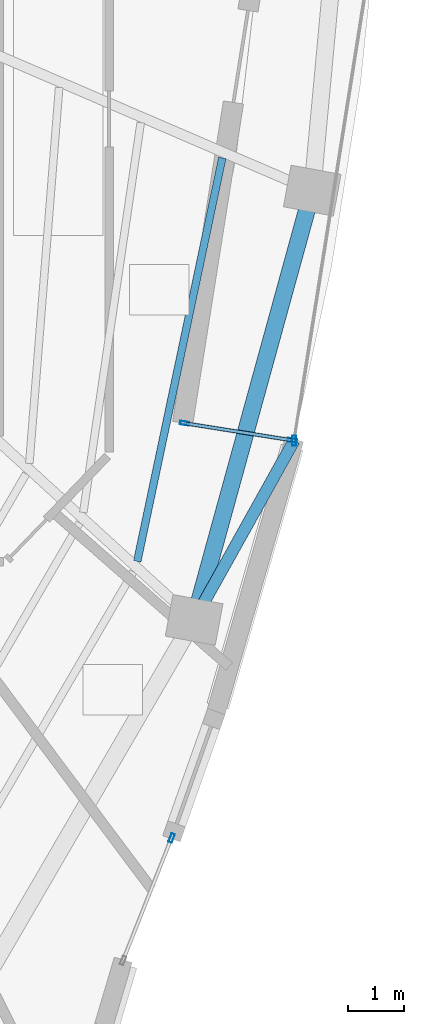
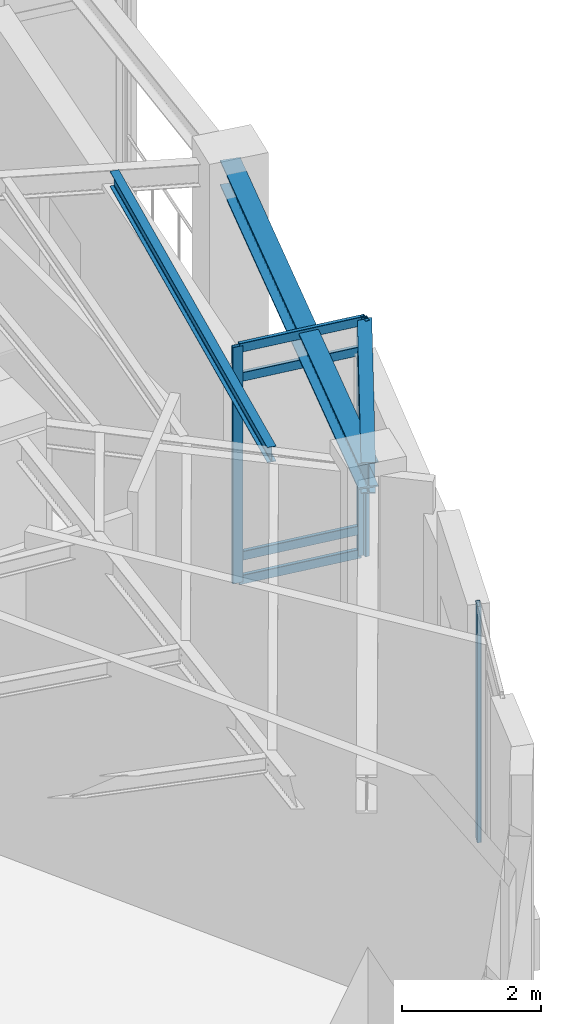
# One storey, part 6 of 14: 8 members, 3 beams, 2 elements without a shape of their own.
"""IFC4 building model written with IfcOpenShell, lengths in metres."""

from ifc_helpers import new_model, si_unit, direction, frame, origin, origin_2d, place, context, subcontext, project, spatial, hollow_rectangle, i_section, extrude, material, layer, layer_set, material_profile, profile_set, type_object, element, aggregate, save


model = new_model("IFC4")

# Units and contexts
model_context = context("Model", 3, precision=1e-05, world=origin(), true_north=direction((0.0, 1.0)))
body_context = subcontext(model_context, "Body", "Model", "MODEL_VIEW")
ifc_project = project(units=[si_unit("LENGTHUNIT", "METRE"), si_unit("AREAUNIT", "SQUARE_METRE"), si_unit("VOLUMEUNIT", "CUBIC_METRE"), si_unit("PLANEANGLEUNIT", "RADIAN"), si_unit("MASSUNIT", "GRAM", prefix="KILO")], contexts=[model_context])

# Site, building, storey
site_placement = place(None, origin())
site = spatial("IfcSite", under=ifc_project, at=site_placement, CompositionType="ELEMENT")
building_placement = place(site_placement, origin())
building = spatial("IfcBuilding", under=site, at=building_placement, Name="Ndelora Gate Hotel", CompositionType="ELEMENT")
storey_placement = place(building_placement, frame((0.0, 0.0, 277.199951171875)))
storey = spatial("IfcBuildingStorey", under=building, at=storey_placement, Name="L69", CompositionType="ELEMENT", Elevation=277.199951171875)

# Beams
ifc_material_1 = material(Name="Steel S355", Category="steel")
ifc_material_profile_1 = material_profile(ifc_material_1, i_section(OverallWidth=0.135009765625, OverallDepth=0.27001953125, WebThickness=0.006591796875, FlangeThickness=0.01025390625, FilletRadius=0.014892578125, at=origin_2d()), Name="IPE 270")
ifc_profile_set_1 = profile_set([ifc_material_profile_1], Name="Steel S355")
beam_type_1 = type_object("IfcBeamType", Name="BM-JST-270", PredefinedType="JOIST", material=ifc_profile_set_1)
beam_1_placement = place(storey_placement, frame((10.94873046875, -9.17529296875, 4.01513671875), z_axis=(0.206301761085, 0.978488417598, 0.0), x_axis=(-0.978488417598, 0.206301761085, 0.0)))
element("IfcBeam", 1, at=beam_1_placement, inside=storey, type_object=beam_type_1, Name="L69 Secondary Composite Floor Joist OUT-6", PredefinedType="JOIST", context=body_context, shape_type="SweptSolid", body=[
    extrude(i_section(OverallWidth=0.135009765625, OverallDepth=0.27001953125, WebThickness=0.006591796875, FlangeThickness=0.01025390625, FilletRadius=0.014892578125, at=origin_2d()), origin(), (0.0, 0.0, 1.0), 7.3076171875),
])
ifc_material_profile_2 = material_profile(ifc_material_1, i_section(OverallWidth=0.2099609375, OverallDepth=0.550048828125, WebThickness=0.010986328125, FlangeThickness=0.01708984375, FilletRadius=0.02392578125, at=origin_2d()), Name="IPE 550")
ifc_profile_set_2 = profile_set([ifc_material_profile_2], Name="Steel S355")
beam_type_2 = type_object("IfcBeamType", Name="BM-RAD-550", PredefinedType="BEAM", material=ifc_profile_set_2)
beam_2_placement = place(storey_placement, frame((11.956787109375, -10.212158203125, 3.875), z_axis=(0.487174602551, 0.873304589836, 0.0), x_axis=(-0.873304589836, 0.487174602551, 0.0)))
element("IfcBeam", 2, at=beam_2_placement, inside=storey, type_object=beam_type_2, Name="L69 Sky-Garden Loggia Column Bracket 1", PredefinedType="BEAM", context=body_context, shape_type="SweptSolid", body=[
    extrude(i_section(OverallWidth=0.2099609375, OverallDepth=0.550048828125, WebThickness=0.010986328125, FlangeThickness=0.01708984375, FilletRadius=0.02392578125, at=origin_2d()), origin(), (0.0, 0.0, 1.0), 3.638671875),
])
ifc_material_profile_3 = material_profile(ifc_material_1, i_section(OverallWidth=0.300048828125, OverallDepth=0.449951171875, WebThickness=0.013916015625, FlangeThickness=0.02587890625, FilletRadius=0.027099609375, at=origin_2d()), Name="HEB 450")
ifc_profile_set_3 = profile_set([ifc_material_profile_3], Name="Steel S355")
beam_type_3 = type_object("IfcBeamType", Name="BM-RING-450", PredefinedType="SPANDREL", material=ifc_profile_set_3)
beam_3_placement = place(storey_placement, frame((11.956787109375, -10.212158203125, 3.925048828125), z_axis=(0.265247809385, 0.964180273401, 0.0), x_axis=(-0.964180273401, 0.265247809385, 0.0)))
element("IfcBeam", 3, at=beam_3_placement, inside=storey, type_object=beam_type_3, Name="L69 Perimeter Spandrel Girder 6", PredefinedType="SPANDREL", context=body_context, shape_type="SweptSolid", body=[
    extrude(i_section(OverallWidth=0.300048828125, OverallDepth=0.449951171875, WebThickness=0.013916015625, FlangeThickness=0.02587890625, FilletRadius=0.027099609375, at=origin_2d()), origin(), (0.0, 0.0, 1.0), 7.890869140625),
])

# Curtain wall, members
ifc_material_2 = material(Name="Bronze Anodised Unitised Aluminium and Low-E Glass", Category="aluminium")
ifc_layer_1 = layer(ifc_material_2, 0.199951171875)
ifc_layer_set_1 = layer_set([ifc_layer_1], Name="Bronze Anodised Unitised Aluminium and Low-E Glass")
curtain_wall_type_1 = type_object("IfcCurtainWallType", Name="CW-SYS-3", PredefinedType="NOTDEFINED", material=ifc_layer_set_1)
curtain_wall_1_placement = place(storey_placement, origin())
curtain_wall_1 = element("IfcCurtainWall", 4, at=curtain_wall_1_placement, inside=storey, type_object=curtain_wall_type_1, Name="L69 Sky-Garden Loggia Side Curtain Wall CW3-1", PredefinedType="NOTDEFINED")
ifc_material_3 = material(Name="Bronze Anodised Aluminium 6063-T6", Category="aluminium")
ifc_material_profile_4 = material_profile(ifc_material_3, hollow_rectangle(XDim=0.06494140625, YDim=0.159912109375, WallThickness=0.00390625, InnerFilletRadius=0.00390625, OuterFilletRadius=0.008056640625, at=origin_2d()), Name="ALU 160x65x4")
ifc_profile_set_4 = profile_set([ifc_material_profile_4], Name="Bronze Anodised Aluminium 6063-T6")
member_type_1 = type_object("IfcMemberType", Name="MB-CW-MUL150", PredefinedType="MULLION", material=ifc_profile_set_4)
member_1_placement = place(storey_placement, frame((11.786376953125, -6.7265625, -0.00390625), z_axis=(0.0, 0.0, 1.0), x_axis=(0.156455544499, 0.987685001706, 0.0)))
member_1 = element("IfcMember", 5, at=member_1_placement, type_object=member_type_1, Name="CW3 mullion 1", PredefinedType="MULLION", context=body_context, shape_type="SweptSolid", body=[
    extrude(hollow_rectangle(XDim=0.06494140625, YDim=0.159912109375, WallThickness=0.00390625, InnerFilletRadius=0.00390625, OuterFilletRadius=0.008056640625, at=origin_2d()), origin(), (0.0, 0.0, 1.0), 4.157958984375),
])
member_2_placement = place(storey_placement, frame((13.697509765625, -7.029296875, -0.00390625), z_axis=(0.0, 0.0, 1.0), x_axis=(0.156455544499, 0.987685001706, 0.0)))
member_2 = element("IfcMember", 6, at=member_2_placement, type_object=member_type_1, Name="CW3 mullion 2", PredefinedType="MULLION", context=body_context, shape_type="SweptSolid", body=[
    extrude(hollow_rectangle(XDim=0.06494140625, YDim=0.159912109375, WallThickness=0.00390625, InnerFilletRadius=0.00390625, OuterFilletRadius=0.008056640625, at=origin_2d()), origin(), (0.0, 0.0, 1.0), 4.157958984375),
])

# Curtain wall, member
ifc_layer_2 = layer(ifc_material_2, 0.219970703125)
ifc_layer_set_2 = layer_set([ifc_layer_2], Name="Bronze Anodised Unitised Aluminium and Low-E Glass")
curtain_wall_type_2 = type_object("IfcCurtainWallType", Name="CW-SYS-6", PredefinedType="NOTDEFINED", material=ifc_layer_set_2)
curtain_wall_2_placement = place(storey_placement, origin())
curtain_wall_2 = element("IfcCurtainWall", 7, at=curtain_wall_2_placement, inside=storey, type_object=curtain_wall_type_2, Name="L69 Crown Sky-Restaurant & Cocktail Bar Curtain Wall 2", PredefinedType="NOTDEFINED")
member_3_placement = place(storey_placement, frame((11.558349609375, -14.078125, -0.00390625), z_axis=(0.0, 0.0, 1.0), x_axis=(-0.929665067652, 0.3684058387, 0.0)))
member_3 = element("IfcMember", 8, at=member_3_placement, type_object=member_type_1, Name="CW6 mullion 2", PredefinedType="MULLION", context=body_context, shape_type="SweptSolid", body=[
    extrude(hollow_rectangle(XDim=0.06494140625, YDim=0.159912109375, WallThickness=0.00390625, InnerFilletRadius=0.00390625, OuterFilletRadius=0.008056640625, at=origin_2d()), origin(), (0.0, 0.0, 1.0), 4.157958984375),
])
aggregate(curtain_wall_2, [member_3])

# Member
ifc_material_profile_5 = material_profile(ifc_material_3, hollow_rectangle(XDim=0.070068359375, YDim=0.179931640625, WallThickness=0.0048828125, InnerFilletRadius=0.0048828125, OuterFilletRadius=0.010009765625, at=origin_2d()), Name="ALU 180x70x5")
ifc_profile_set_5 = profile_set([ifc_material_profile_5], Name="Bronze Anodised Aluminium 6063-T6")
member_type_2 = type_object("IfcMemberType", Name="MB-CW-MUL180", PredefinedType="MULLION", material=ifc_profile_set_5)
member_4_placement = place(storey_placement, frame((13.7294921875, -7.034423828125, 0.0), z_axis=(0.0, 0.0, 1.0), x_axis=(1.0, 0.0, 0.0)))
member_4 = element("IfcMember", 9, at=member_4_placement, type_object=member_type_2, Name="L69 Sky-Garden Loggia Corner Mullion Post 1", PredefinedType="MULLION", context=body_context, shape_type="SweptSolid", body=[
    extrude(hollow_rectangle(XDim=0.070068359375, YDim=0.179931640625, WallThickness=0.0048828125, InnerFilletRadius=0.0048828125, OuterFilletRadius=0.010009765625, at=origin_2d()), origin(), (0.0, 0.0, 1.0), 4.150146484375),
])

ifc_material_profile_6 = material_profile(ifc_material_3, hollow_rectangle(XDim=0.06494140625, YDim=0.159912109375, WallThickness=0.00390625, InnerFilletRadius=0.00390625, OuterFilletRadius=0.008056640625, at=origin_2d()), Name="ALU 160x65x4")
ifc_profile_set_6 = profile_set([ifc_material_profile_6], Name="Bronze Anodised Aluminium 6063-T6")
member_type_3 = type_object("IfcMemberType", Name="MB-CW-TRN150", PredefinedType="USERDEFINED", material=ifc_profile_set_6)
member_5_placement = place(storey_placement, frame((11.8125, -6.730712890625, 0.032470703125), z_axis=(0.987687120531, -0.156442168027, 0.0), x_axis=(0.156442168027, 0.987687120531, 0.0)))
member_5 = element("IfcMember", 10, at=member_5_placement, type_object=member_type_3, Name="CW3 transom 1.1", ObjectType="TRANSOM", PredefinedType="USERDEFINED", context=body_context, shape_type="SweptSolid", body=[
    extrude(hollow_rectangle(XDim=0.06494140625, YDim=0.159912109375, WallThickness=0.00390625, InnerFilletRadius=0.00390625, OuterFilletRadius=0.008056640625, at=origin_2d()), origin(), (0.0, 0.0, 1.0), 1.882080078125),
])

member_6_placement = place(storey_placement, frame((11.8125, -6.730712890625, 0.449951171875), z_axis=(0.987687120531, -0.156442168027, 0.0), x_axis=(0.156442168027, 0.987687120531, 0.0)))
member_6 = element("IfcMember", 11, at=member_6_placement, type_object=member_type_3, Name="CW3 transom 1.2", ObjectType="TRANSOM", PredefinedType="USERDEFINED", context=body_context, shape_type="SweptSolid", body=[
    extrude(hollow_rectangle(XDim=0.06494140625, YDim=0.159912109375, WallThickness=0.00390625, InnerFilletRadius=0.00390625, OuterFilletRadius=0.008056640625, at=origin_2d()), origin(), (0.0, 0.0, 1.0), 1.882080078125),
])

member_7_placement = place(storey_placement, frame((11.8125, -6.730712890625, 3.60009765625), z_axis=(0.987687120531, -0.156442168027, 0.0), x_axis=(0.156442168027, 0.987687120531, 0.0)))
member_7 = element("IfcMember", 12, at=member_7_placement, type_object=member_type_3, Name="CW3 transom 1.3", ObjectType="TRANSOM", PredefinedType="USERDEFINED", context=body_context, shape_type="SweptSolid", body=[
    extrude(hollow_rectangle(XDim=0.06494140625, YDim=0.159912109375, WallThickness=0.00390625, InnerFilletRadius=0.00390625, OuterFilletRadius=0.008056640625, at=origin_2d()), origin(), (0.0, 0.0, 1.0), 1.882080078125),
])

member_8_placement = place(storey_placement, frame((11.8125, -6.730712890625, 4.117431640625), z_axis=(0.987687120531, -0.156442168027, 0.0), x_axis=(0.156442168027, 0.987687120531, 0.0)))
member_8 = element("IfcMember", 13, at=member_8_placement, type_object=member_type_3, Name="CW3 transom 1.4", ObjectType="TRANSOM", PredefinedType="USERDEFINED", context=body_context, shape_type="SweptSolid", body=[
    extrude(hollow_rectangle(XDim=0.06494140625, YDim=0.159912109375, WallThickness=0.00390625, InnerFilletRadius=0.00390625, OuterFilletRadius=0.008056640625, at=origin_2d()), origin(), (0.0, 0.0, 1.0), 1.882080078125),
])

aggregate(curtain_wall_1, [member_1, member_2, member_5, member_6, member_7, member_8, member_4])

save(model, "model.ifc")
